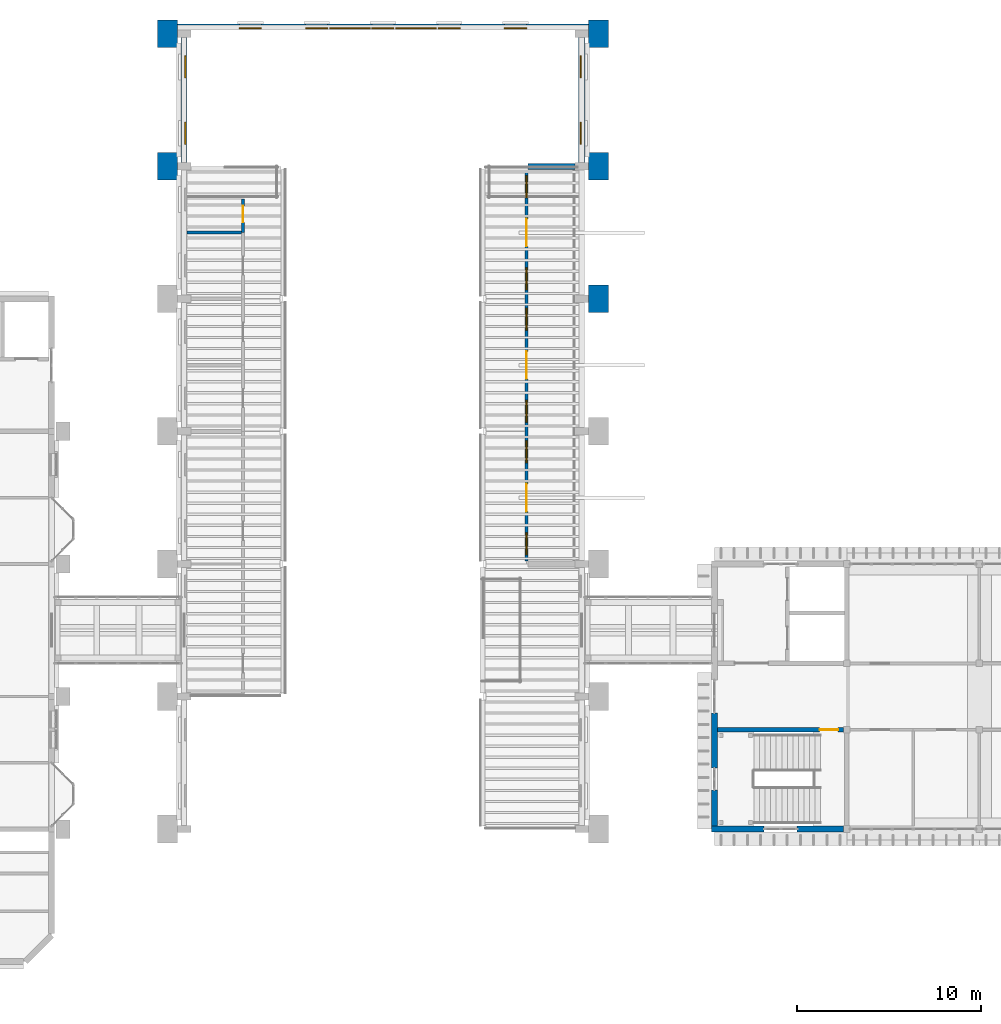
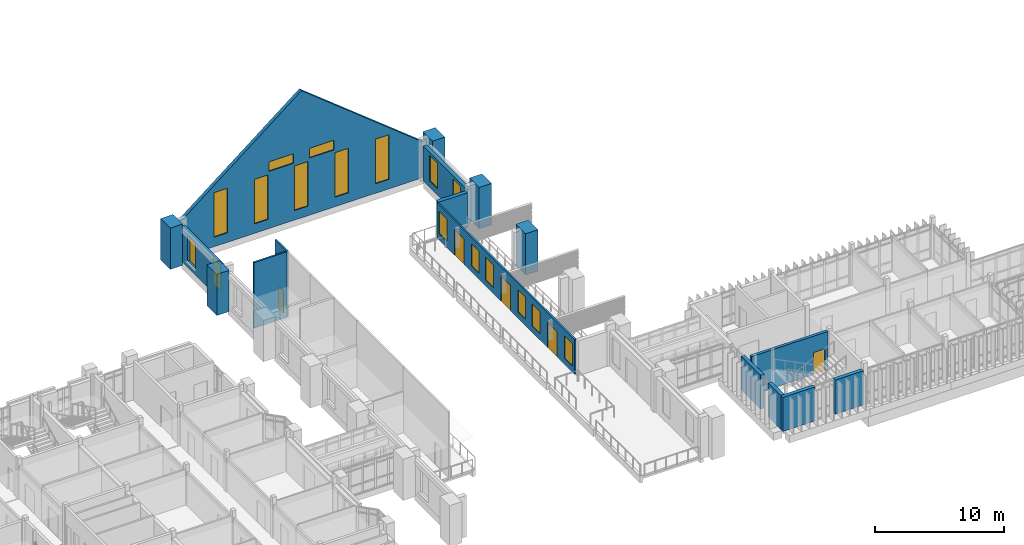
# One storey, part 43 of 69: 17 walls, 17 windows, 5 doors, 22 openings.
"""IFC4 building model written with IfcOpenShell, lengths in metres."""

from ifc_helpers import new_model, si_unit, direction, frame, frame_2d, origin, place, context, subcontext, project, spatial, polyline, rectangle, outline, extrude, material, layer, layer_set, type_object, element, fill, save


model = new_model("IFC4")

# Units and contexts
model_context = context("Model", 3, precision=1e-05, world=origin(), true_north=direction((0.0, 1.0)))
body_context = subcontext(model_context, "Body", "Model", "MODEL_VIEW")
ifc_project = project(units=[si_unit("LENGTHUNIT", "METRE"), si_unit("AREAUNIT", "SQUARE_METRE"), si_unit("VOLUMEUNIT", "CUBIC_METRE"), si_unit("PLANEANGLEUNIT", "RADIAN"), si_unit("MASSUNIT", "GRAM", prefix="KILO")], contexts=[model_context])

# Site, building, storey
site_placement = place(None, origin())
site = spatial("IfcSite", under=ifc_project, at=site_placement, CompositionType="ELEMENT")
building_placement = place(site_placement, origin())
building = spatial("IfcBuilding", under=site, at=building_placement, Name="Mazhai Court Health Centre", CompositionType="ELEMENT")
storey_placement = place(building_placement, frame((0.0, 0.0, 6.300048828125)))
storey = spatial("IfcBuildingStorey", under=building, at=storey_placement, Name="L01", CompositionType="ELEMENT", Elevation=6.300048828125)

# Walls
ifc_material_1 = material(Name="Clay brick masonry", Category="masonry")
ifc_layer_1 = layer(ifc_material_1, 1.10009765625)
ifc_layer_set_1 = layer_set([ifc_layer_1], Name="BRICK BUTTRESS PIER 1100")
wall_type_1 = type_object("IfcWallType", Name="BRICK BUTTRESS PIER 1100", PredefinedType="SOLIDWALL", material=ifc_layer_set_1)
for number, where, z_axis, x_axis, name in (
    (1, (41.2900390625, 48.64990234375, 0.0), (0.0, 0.0, 1.0), (0.0, 1.0, 0.0), "EP-V1-L01-W5"),
    (2, (41.2900390625, 55.85009765625, 0.0), (0.0, 0.0, 1.0), (0.0, 1.0, 0.0), "EP-V1-L01-W6"),
    (3, (64.7099609375, 42.949951171875, 0.0), (0.0, 0.0, 1.0), (0.0, -1.0, 0.0), "EP-V1-L01-E4"),
    (4, (64.7099609375, 50.14990234375, 0.0), (0.0, 0.0, 1.0), (0.0, -1.0, 0.0), "EP-V1-L01-E5"),
    (5, (64.7099609375, 57.35009765625, 0.0), (0.0, 0.0, 1.0), (0.0, -1.0, 0.0), "EP-V1-L01-E6"),
):
    element("IfcWall", number, at=place(storey_placement, frame(where, z_axis=z_axis, x_axis=x_axis)), inside=storey, type_object=wall_type_1, Name=name, PredefinedType="SOLIDWALL", context=body_context, shape_type="SweptSolid", body=[
        extrude(rectangle(XDim=1.5, YDim=1.10009765625, at=frame_2d((0.75, 0.0))), origin(), (0.0, 0.0, 1.0), 3.89990234375),
    ])
ifc_material_2 = material(Name="Clay brick masonry", Category="masonry")
ifc_layer_2 = layer(ifc_material_2, 0.330078125)
ifc_layer_set_2 = layer_set([ifc_layer_2], Name="BRICK WALL 330 EXTERNAL")
wall_type_2 = type_object("IfcWallType", Name="BRICK WALL 330 EXTERNAL", PredefinedType="SOLIDWALL", material=ifc_layer_set_2)
wall_1_placement = place(storey_placement, frame((73.699951171875, 13.39990234375, 0.0), z_axis=(0.0, 0.0, 1.0), x_axis=(-1.0, 0.0, 0.0)))
element("IfcWall", 6, at=wall_1_placement, inside=storey, type_object=wall_type_2, Name="EW-V4-L01-A0a", PredefinedType="SOLIDWALL", context=body_context, shape_type="SweptSolid", body=[
    extrude(rectangle(XDim=2.864990234375, YDim=0.330078125, at=frame_2d((1.4326171875, 0.0))), origin(), (0.0, 0.0, 1.0), 3.219970703125),
])
wall_2_placement = place(storey_placement, frame((78.02001953125, 13.39990234375, 0.0), z_axis=(0.0, 0.0, 1.0), x_axis=(-1.0, 0.0, 0.0)))
element("IfcWall", 7, at=wall_2_placement, inside=storey, type_object=wall_type_2, Name="EW-V4-L01-A0b", PredefinedType="SOLIDWALL", context=body_context, shape_type="SweptSolid", body=[
    extrude(rectangle(XDim=2.52001953125, YDim=0.330078125, at=frame_2d((1.260009765625, 0.0))), origin(), (0.0, 0.0, 1.0), 3.219970703125),
])
wall_3_placement = place(storey_placement, frame((71.0, 13.56494140625, 0.0), z_axis=(0.0, 0.0, 1.0), x_axis=(0.0, 1.0, 0.0)))
element("IfcWall", 8, at=wall_3_placement, inside=storey, type_object=wall_type_2, Name="EW-V4-L01-Sp0", PredefinedType="SOLIDWALL", context=body_context, shape_type="SweptSolid", body=[
    extrude(rectangle(XDim=1.955078125, YDim=0.330078125, at=frame_2d((0.9775390625, 0.0))), origin(), (0.0, 0.0, 1.0), 3.199951171875),
])
wall_4_placement = place(storey_placement, frame((71.0, 16.719970703125, 0.0), z_axis=(0.0, 0.0, 1.0), x_axis=(0.0, 1.0, 0.0)))
element("IfcWall", 9, at=wall_4_placement, inside=storey, type_object=wall_type_2, Name="EW-V4-L01-Sp1", PredefinedType="SOLIDWALL", context=body_context, shape_type="SweptSolid", body=[
    extrude(rectangle(XDim=2.97998046875, YDim=0.330078125, at=frame_2d((1.489990234375, 0.0))), origin(), (0.0, 0.0, 1.0), 3.199951171875),
])

# Wall, openings, windows
wall_5_placement = place(storey_placement, frame((42.199951171875, 49.60009765625, 0.0), z_axis=(0.0, 0.0, 1.0), x_axis=(0.0, 1.0, 0.0)))
wall_5 = element("IfcWall", 10, at=wall_5_placement, inside=storey, type_object=wall_type_2, Name="EW-V1-L01-W5", PredefinedType="SOLIDWALL", context=body_context, shape_type="SweptSolid", body=[
    extrude(rectangle(XDim=6.7998046875, YDim=0.330078125, at=frame_2d((3.39990234375, 0.0))), origin(), (0.0, 0.0, 1.0), 3.300048828125),
])
opening_1_placement = place(wall_5_placement, frame((1.0, 0.0, 0.60009765625)))
opening_1 = element("IfcOpeningElement", 11, at=opening_1_placement, cuts=wall_5, Name="Opening W2", PredefinedType="OPENING", context=body_context, shape_type="SweptSolid", body=[
    extrude(rectangle(XDim=1.199951171875, YDim=2.39990234375, at=frame_2d((0.60009765625, 1.199951171875))), frame((0.0, 0.175048828125, 0.0), z_axis=(0.0, -1.0, 0.0), x_axis=(1.0, 0.0, 0.0)), (0.0, 0.0, 1.0), 0.35009765625),
])
opening_2_placement = place(wall_5_placement, frame((4.60009765625, 0.0, 0.60009765625)))
opening_2 = element("IfcOpeningElement", 12, at=opening_2_placement, cuts=wall_5, Name="Opening W2", PredefinedType="OPENING", context=body_context, shape_type="SweptSolid", body=[
    extrude(rectangle(XDim=1.199951171875, YDim=2.39990234375, at=frame_2d((0.60009765625, 1.199951171875))), frame((0.0, 0.175048828125, 0.0), z_axis=(0.0, -1.0, 0.0), x_axis=(1.0, 0.0, 0.0)), (0.0, 0.0, 1.0), 0.35009765625),
])
ifc_material_3 = material(Name="Teak timber frame, glazed", Category="wood")
window_type_1 = type_object("IfcWindowType", Name="WINDOW TALL PIER 1200x2400", PartitioningType="SINGLE_PANEL", PredefinedType="WINDOW", material=ifc_material_3)
window_1_placement = place(opening_1_placement, origin())
window_1 = element("IfcWindow", 13, at=window_1_placement, inside=storey, type_object=window_type_1, Name="W2 WN-V1-L01-W5a", OverallHeight=2.39990234375, OverallWidth=1.199951171875, PartitioningType="SINGLE_PANEL", PredefinedType="WINDOW", context=body_context, shape_type="SweptSolid", body=[
    extrude(rectangle(XDim=1.199951171875, YDim=2.39990234375, at=frame_2d((0.60009765625, 1.199951171875))), frame((0.0, -0.030029296875, 0.0), z_axis=(0.0, -1.0, 0.0), x_axis=(1.0, 0.0, 0.0)), (0.0, 0.0, 1.0), 0.06005859375),
])
fill(opening_1, window_1)
window_2_placement = place(opening_2_placement, origin())
window_2 = element("IfcWindow", 14, at=window_2_placement, inside=storey, type_object=window_type_1, Name="W2 WN-V1-L01-W5b", OverallHeight=2.39990234375, OverallWidth=1.199951171875, PartitioningType="SINGLE_PANEL", PredefinedType="WINDOW", context=body_context, shape_type="SweptSolid", body=[
    extrude(rectangle(XDim=1.199951171875, YDim=2.39990234375, at=frame_2d((0.60009765625, 1.199951171875))), frame((0.0, -0.030029296875, 0.0), z_axis=(0.0, -1.0, 0.0), x_axis=(1.0, 0.0, 0.0)), (0.0, 0.0, 1.0), 0.06005859375),
])
fill(opening_2, window_2)

wall_6_placement = place(storey_placement, frame((63.800048828125, 56.39990234375, 0.0), z_axis=(0.0, 0.0, 1.0), x_axis=(0.0, -1.0, 0.0)))
wall_6 = element("IfcWall", 15, at=wall_6_placement, inside=storey, type_object=wall_type_2, Name="EW-V1-L01-E5", PredefinedType="SOLIDWALL", context=body_context, shape_type="SweptSolid", body=[
    extrude(rectangle(XDim=6.7998046875, YDim=0.330078125, at=frame_2d((3.39990234375, 0.0))), origin(), (0.0, 0.0, 1.0), 3.300048828125),
])
opening_3_placement = place(wall_6_placement, frame((4.60009765625, 0.0, 0.60009765625)))
opening_3 = element("IfcOpeningElement", 16, at=opening_3_placement, cuts=wall_6, Name="Opening W2", PredefinedType="OPENING", context=body_context, shape_type="SweptSolid", body=[
    extrude(rectangle(XDim=1.199951171875, YDim=2.39990234375, at=frame_2d((0.60009765625, 1.199951171875))), frame((0.0, 0.175048828125, 0.0), z_axis=(0.0, -1.0, 0.0), x_axis=(1.0, 0.0, 0.0)), (0.0, 0.0, 1.0), 0.35009765625),
])
opening_4_placement = place(wall_6_placement, frame((1.0, 0.0, 0.60009765625)))
opening_4 = element("IfcOpeningElement", 17, at=opening_4_placement, cuts=wall_6, Name="Opening W2", PredefinedType="OPENING", context=body_context, shape_type="SweptSolid", body=[
    extrude(rectangle(XDim=1.199951171875, YDim=2.39990234375, at=frame_2d((0.60009765625, 1.199951171875))), frame((0.0, 0.175048828125, 0.0), z_axis=(0.0, -1.0, 0.0), x_axis=(1.0, 0.0, 0.0)), (0.0, 0.0, 1.0), 0.35009765625),
])
window_3_placement = place(opening_3_placement, origin())
window_3 = element("IfcWindow", 18, at=window_3_placement, inside=storey, type_object=window_type_1, Name="W2 WN-V1-L01-E5a", OverallHeight=2.39990234375, OverallWidth=1.199951171875, PartitioningType="SINGLE_PANEL", PredefinedType="WINDOW", context=body_context, shape_type="SweptSolid", body=[
    extrude(rectangle(XDim=1.199951171875, YDim=2.39990234375, at=frame_2d((0.60009765625, 1.199951171875))), frame((0.0, -0.030029296875, 0.0), z_axis=(0.0, -1.0, 0.0), x_axis=(1.0, 0.0, 0.0)), (0.0, 0.0, 1.0), 0.06005859375),
])
fill(opening_3, window_3)
window_4_placement = place(opening_4_placement, origin())
window_4 = element("IfcWindow", 19, at=window_4_placement, inside=storey, type_object=window_type_1, Name="W2 WN-V1-L01-E5b", OverallHeight=2.39990234375, OverallWidth=1.199951171875, PartitioningType="SINGLE_PANEL", PredefinedType="WINDOW", context=body_context, shape_type="SweptSolid", body=[
    extrude(rectangle(XDim=1.199951171875, YDim=2.39990234375, at=frame_2d((0.60009765625, 1.199951171875))), frame((0.0, -0.030029296875, 0.0), z_axis=(0.0, -1.0, 0.0), x_axis=(1.0, 0.0, 0.0)), (0.0, 0.0, 1.0), 0.06005859375),
])
fill(opening_4, window_4)

wall_7_placement = place(storey_placement, frame((41.840087890625, 56.965087890625, 0.0), z_axis=(0.0, 0.0, 1.0), x_axis=(1.0, 0.0, 0.0)))
wall_7 = element("IfcWall", 20, at=wall_7_placement, inside=storey, type_object=wall_type_2, Name="EW-V1-L01-N", PredefinedType="SOLIDWALL", context=body_context, shape_type="SweptSolid", body=[
    extrude(outline(polyline([(0.0, 0.0), (22.31982421875, 0.0), (22.320068359375, 3.39990234375), (21.9599609375, 3.39990234375), (11.159912109375, 12.0), (0.360107421875, 3.39990234375), (0.0, 3.39990234375), (0.0, 0.0)])), frame((0.0, 0.1650390625, 0.0), z_axis=(0.0, -1.0, 0.0), x_axis=(1.0, 0.0, 0.0)), (0.0, 0.0, 1.0), 0.330078125),
])
opening_5_placement = place(wall_7_placement, frame((3.360107421875, 0.0, 0.89990234375)))
opening_5 = element("IfcOpeningElement", 21, at=opening_5_placement, cuts=wall_7, Name="Opening W3", PredefinedType="OPENING", context=body_context, shape_type="SweptSolid", body=[
    extrude(rectangle(XDim=1.199951171875, YDim=4.199951171875, at=frame_2d((0.60009765625, 2.10009765625))), frame((0.0, 0.175048828125, 0.0), z_axis=(0.0, -1.0, 0.0), x_axis=(1.0, 0.0, 0.0)), (0.0, 0.0, 1.0), 0.35009765625),
])
opening_6_placement = place(wall_7_placement, frame((6.9599609375, 0.0, 0.89990234375)))
opening_6 = element("IfcOpeningElement", 22, at=opening_6_placement, cuts=wall_7, Name="Opening W3", PredefinedType="OPENING", context=body_context, shape_type="SweptSolid", body=[
    extrude(rectangle(XDim=1.199951171875, YDim=4.199951171875, at=frame_2d((0.60009765625, 2.10009765625))), frame((0.0, 0.175048828125, 0.0), z_axis=(0.0, -1.0, 0.0), x_axis=(1.0, 0.0, 0.0)), (0.0, 0.0, 1.0), 0.35009765625),
])
opening_7_placement = place(wall_7_placement, frame((10.56005859375, 0.0, 0.89990234375)))
opening_7 = element("IfcOpeningElement", 23, at=opening_7_placement, cuts=wall_7, Name="Opening W3", PredefinedType="OPENING", context=body_context, shape_type="SweptSolid", body=[
    extrude(rectangle(XDim=1.199951171875, YDim=4.199951171875, at=frame_2d((0.60009765625, 2.10009765625))), frame((0.0, 0.175048828125, 0.0), z_axis=(0.0, -1.0, 0.0), x_axis=(1.0, 0.0, 0.0)), (0.0, 0.0, 1.0), 0.35009765625),
])
opening_8_placement = place(wall_7_placement, frame((14.159912109375, 0.0, 0.89990234375)))
opening_8 = element("IfcOpeningElement", 24, at=opening_8_placement, cuts=wall_7, Name="Opening W3", PredefinedType="OPENING", context=body_context, shape_type="SweptSolid", body=[
    extrude(rectangle(XDim=1.199951171875, YDim=4.199951171875, at=frame_2d((0.60009765625, 2.10009765625))), frame((0.0, 0.175048828125, 0.0), z_axis=(0.0, -1.0, 0.0), x_axis=(1.0, 0.0, 0.0)), (0.0, 0.0, 1.0), 0.35009765625),
])
opening_9_placement = place(wall_7_placement, frame((17.760009765625, 0.0, 0.89990234375)))
opening_9 = element("IfcOpeningElement", 25, at=opening_9_placement, cuts=wall_7, Name="Opening W3", PredefinedType="OPENING", context=body_context, shape_type="SweptSolid", body=[
    extrude(rectangle(XDim=1.199951171875, YDim=4.199951171875, at=frame_2d((0.60009765625, 2.10009765625))), frame((0.0, 0.175048828125, 0.0), z_axis=(0.0, -1.0, 0.0), x_axis=(1.0, 0.0, 0.0)), (0.0, 0.0, 1.0), 0.35009765625),
])
opening_10_placement = place(wall_7_placement, frame((8.260009765625, 0.0, 5.39990234375)))
opening_10 = element("IfcOpeningElement", 26, at=opening_10_placement, cuts=wall_7, Name="Opening W4", PredefinedType="OPENING", context=body_context, shape_type="SweptSolid", body=[
    extrude(rectangle(XDim=2.199951171875, YDim=0.89990234375, at=frame_2d((1.10009765625, 0.449951171875))), frame((0.0, 0.175048828125, 0.0), z_axis=(0.0, -1.0, 0.0), x_axis=(1.0, 0.0, 0.0)), (0.0, 0.0, 1.0), 0.35009765625),
])
opening_11_placement = place(wall_7_placement, frame((11.860107421875, 0.0, 5.39990234375)))
opening_11 = element("IfcOpeningElement", 27, at=opening_11_placement, cuts=wall_7, Name="Opening W4", PredefinedType="OPENING", context=body_context, shape_type="SweptSolid", body=[
    extrude(rectangle(XDim=2.199951171875, YDim=0.89990234375, at=frame_2d((1.10009765625, 0.449951171875))), frame((0.0, 0.175048828125, 0.0), z_axis=(0.0, -1.0, 0.0), x_axis=(1.0, 0.0, 0.0)), (0.0, 0.0, 1.0), 0.35009765625),
])
ifc_material_4 = material(Name="Teak timber frame, glazed", Category="wood")
window_type_2 = type_object("IfcWindowType", Name="WINDOW CLERESTORY 2200x900", PartitioningType="SINGLE_PANEL", PredefinedType="WINDOW", material=ifc_material_4)
window_5_placement = place(opening_10_placement, origin())
window_5 = element("IfcWindow", 28, at=window_5_placement, inside=storey, type_object=window_type_2, Name="W4 WN-V1-L01-N-18u", OverallHeight=0.89990234375, OverallWidth=2.199951171875, PartitioningType="SINGLE_PANEL", PredefinedType="WINDOW", context=body_context, shape_type="SweptSolid", body=[
    extrude(rectangle(XDim=2.199951171875, YDim=0.89990234375, at=frame_2d((1.10009765625, 0.449951171875))), frame((0.0, -0.030029296875, 0.0), z_axis=(0.0, -1.0, 0.0), x_axis=(1.0, 0.0, 0.0)), (0.0, 0.0, 1.0), 0.06005859375),
])
fill(opening_10, window_5)
window_6_placement = place(opening_11_placement, origin())
window_6 = element("IfcWindow", 29, at=window_6_placement, inside=storey, type_object=window_type_2, Name="W4 WN-V1-L01-N18u", OverallHeight=0.89990234375, OverallWidth=2.199951171875, PartitioningType="SINGLE_PANEL", PredefinedType="WINDOW", context=body_context, shape_type="SweptSolid", body=[
    extrude(rectangle(XDim=2.199951171875, YDim=0.89990234375, at=frame_2d((1.10009765625, 0.449951171875))), frame((0.0, -0.030029296875, 0.0), z_axis=(0.0, -1.0, 0.0), x_axis=(1.0, 0.0, 0.0)), (0.0, 0.0, 1.0), 0.06005859375),
])
fill(opening_11, window_6)
ifc_material_5 = material(Name="Teak timber frame, glazed", Category="wood")
window_type_3 = type_object("IfcWindowType", Name="WINDOW HALL 1200x4200", PartitioningType="SINGLE_PANEL", PredefinedType="WINDOW", material=ifc_material_5)
window_7_placement = place(opening_5_placement, origin())
window_7 = element("IfcWindow", 30, at=window_7_placement, inside=storey, type_object=window_type_3, Name="W3 WN-V1-L01-N-72t", OverallHeight=4.199951171875, OverallWidth=1.199951171875, PartitioningType="SINGLE_PANEL", PredefinedType="WINDOW", context=body_context, shape_type="SweptSolid", body=[
    extrude(rectangle(XDim=1.199951171875, YDim=4.199951171875, at=frame_2d((0.60009765625, 2.10009765625))), frame((0.0, -0.030029296875, 0.0), z_axis=(0.0, -1.0, 0.0), x_axis=(1.0, 0.0, 0.0)), (0.0, 0.0, 1.0), 0.06005859375),
])
fill(opening_5, window_7)
window_8_placement = place(opening_6_placement, origin())
window_8 = element("IfcWindow", 31, at=window_8_placement, inside=storey, type_object=window_type_3, Name="W3 WN-V1-L01-N-36t", OverallHeight=4.199951171875, OverallWidth=1.199951171875, PartitioningType="SINGLE_PANEL", PredefinedType="WINDOW", context=body_context, shape_type="SweptSolid", body=[
    extrude(rectangle(XDim=1.199951171875, YDim=4.199951171875, at=frame_2d((0.60009765625, 2.10009765625))), frame((0.0, -0.030029296875, 0.0), z_axis=(0.0, -1.0, 0.0), x_axis=(1.0, 0.0, 0.0)), (0.0, 0.0, 1.0), 0.06005859375),
])
fill(opening_6, window_8)
window_9_placement = place(opening_7_placement, origin())
window_9 = element("IfcWindow", 32, at=window_9_placement, inside=storey, type_object=window_type_3, Name="W3 WN-V1-L01-N0t", OverallHeight=4.199951171875, OverallWidth=1.199951171875, PartitioningType="SINGLE_PANEL", PredefinedType="WINDOW", context=body_context, shape_type="SweptSolid", body=[
    extrude(rectangle(XDim=1.199951171875, YDim=4.199951171875, at=frame_2d((0.60009765625, 2.10009765625))), frame((0.0, -0.030029296875, 0.0), z_axis=(0.0, -1.0, 0.0), x_axis=(1.0, 0.0, 0.0)), (0.0, 0.0, 1.0), 0.06005859375),
])
fill(opening_7, window_9)
window_10_placement = place(opening_8_placement, origin())
window_10 = element("IfcWindow", 33, at=window_10_placement, inside=storey, type_object=window_type_3, Name="W3 WN-V1-L01-N36t", OverallHeight=4.199951171875, OverallWidth=1.199951171875, PartitioningType="SINGLE_PANEL", PredefinedType="WINDOW", context=body_context, shape_type="SweptSolid", body=[
    extrude(rectangle(XDim=1.199951171875, YDim=4.199951171875, at=frame_2d((0.60009765625, 2.10009765625))), frame((0.0, -0.030029296875, 0.0), z_axis=(0.0, -1.0, 0.0), x_axis=(1.0, 0.0, 0.0)), (0.0, 0.0, 1.0), 0.06005859375),
])
fill(opening_8, window_10)
window_11_placement = place(opening_9_placement, origin())
window_11 = element("IfcWindow", 34, at=window_11_placement, inside=storey, type_object=window_type_3, Name="W3 WN-V1-L01-N72t", OverallHeight=4.199951171875, OverallWidth=1.199951171875, PartitioningType="SINGLE_PANEL", PredefinedType="WINDOW", context=body_context, shape_type="SweptSolid", body=[
    extrude(rectangle(XDim=1.199951171875, YDim=4.199951171875, at=frame_2d((0.60009765625, 2.10009765625))), frame((0.0, -0.030029296875, 0.0), z_axis=(0.0, -1.0, 0.0), x_axis=(1.0, 0.0, 0.0)), (0.0, 0.0, 1.0), 0.06005859375),
])
fill(opening_9, window_11)

# Wall
wall_8_placement = place(storey_placement, frame((60.875, 49.39990234375, 0.0), z_axis=(0.0, 0.0, 1.0), x_axis=(1.0, 0.0, 0.0)))
element("IfcWall", 35, at=wall_8_placement, inside=storey, type_object=wall_type_2, Name="EW-V1-L01-LC49", PredefinedType="SOLIDWALL", context=body_context, shape_type="SweptSolid", body=[
    extrude(rectangle(XDim=2.56494140625, YDim=0.330078125, at=frame_2d((1.282470703125, 0.0))), origin(), (0.0, 0.0, 1.0), 3.300048828125),
])

# Wall, opening, door
ifc_material_6 = material(Name="Gypsum plasterboard partition")
ifc_layer_3 = layer(ifc_material_6, 0.14990234375)
ifc_layer_set_3 = layer_set([ifc_layer_3], Name="PARTITION 150 CORRIDOR EI60")
wall_type_3 = type_object("IfcWallType", Name="PARTITION 150 CORRIDOR EI60", PredefinedType="PARTITIONING", material=ifc_layer_set_3)
wall_9_placement = place(storey_placement, frame((45.39990234375, 47.635009765625, 0.0), z_axis=(0.0, 0.0, 1.0), x_axis=(0.0, -1.0, 0.0)))
wall_9 = element("IfcWall", 36, at=wall_9_placement, inside=storey, type_object=wall_type_3, Name="wall-V1-L01-W-corr-5a", PredefinedType="PARTITIONING", context=body_context, shape_type="SweptSolid", body=[
    extrude(rectangle(XDim=1.8349609375, YDim=0.14990234375, at=frame_2d((0.91748046875, 0.0))), origin(), (0.0, 0.0, 1.0), 6.200927734375),
])
opening_12_placement = place(wall_9_placement, frame((0.385009765625, 0.0, 0.0)))
opening_12 = element("IfcOpeningElement", 37, at=opening_12_placement, cuts=wall_9, Name="Opening D-L01-043", PredefinedType="OPENING", context=body_context, shape_type="SweptSolid", body=[
    extrude(rectangle(XDim=0.89990234375, YDim=2.10009765625, at=frame_2d((0.449951171875, 1.050048828125))), frame((0.0, 0.0849609375, 0.0), z_axis=(0.0, -1.0, 0.0), x_axis=(1.0, 0.0, 0.0)), (0.0, 0.0, 1.0), 0.169921875),
])
ifc_material_7 = material(Name="Hardwood door leaf", Category="wood")
door_type_1 = type_object("IfcDoorType", Name="DOOR 900x2100 FD30S SINGLE", OperationType="NOTDEFINED", PredefinedType="DOOR", material=ifc_material_7)
door_1_placement = place(opening_12_placement, origin())
door_1 = element("IfcDoor", 38, at=door_1_placement, inside=storey, type_object=door_type_1, Name="door-V1-L01-W-accessible-wc-gallery", OperationType="SINGLE_SWING_LEFT", OverallHeight=2.10009765625, OverallWidth=0.89990234375, PredefinedType="DOOR", context=body_context, shape_type="SweptSolid", body=[
    extrude(rectangle(XDim=0.89990234375, YDim=2.10009765625, at=frame_2d((0.449951171875, 1.050048828125))), frame((0.0, 0.02490234375, 0.0), z_axis=(0.0, -1.0, 0.0), x_axis=(1.0, 0.0, 0.0)), (0.0, 0.0, 1.0), 0.050048828125),
])
fill(opening_12, door_1)

# Wall
ifc_material_8 = material(Name="Gypsum plasterboard partition")
ifc_layer_4 = layer(ifc_material_8, 0.14990234375)
ifc_layer_set_4 = layer_set([ifc_layer_4], Name="PARTITION 150 WET AREA EI30")
wall_type_4 = type_object("IfcWallType", Name="PARTITION 150 WET AREA EI30", PredefinedType="PARTITIONING", material=ifc_layer_set_4)
wall_10_placement = place(storey_placement, frame((42.364990234375, 45.800048828125, 0.0), z_axis=(0.0, 0.0, 1.0), x_axis=(1.0, 0.0, 0.0)))
element("IfcWall", 39, at=wall_10_placement, inside=storey, type_object=wall_type_4, Name="wall-V1-L01-W-cross-5a", PredefinedType="PARTITIONING", context=body_context, shape_type="SweptSolid", body=[
    extrude(rectangle(XDim=2.9599609375, YDim=0.14990234375, at=frame_2d((1.47998046875, 0.0))), origin(), (0.0, 0.0, 1.0), 6.200927734375),
])

# Wall, opening, door
ifc_material_9 = material(Name="Concrete M40", Category="concrete")
ifc_layer_5 = layer(ifc_material_9, 0.25)
ifc_layer_set_5 = layer_set([ifc_layer_5], Name="RC CORE WALL 250 M40")
wall_type_5 = type_object("IfcWallType", Name="RC CORE WALL 250 M40", PredefinedType="SHEAR", material=ifc_layer_set_5)
wall_11_placement = place(storey_placement, frame((71.1650390625, 18.800048828125, 0.0), z_axis=(0.0, 0.0, 1.0), x_axis=(1.0, 0.0, 0.0)))
wall_11 = element("IfcWall", 40, at=wall_11_placement, inside=storey, type_object=wall_type_5, Name="core-C6-w-stair-corr-L01", PredefinedType="SHEAR", context=body_context, shape_type="SweptSolid", body=[
    extrude(rectangle(XDim=6.85498046875, YDim=0.25, at=frame_2d((3.427490234375, 0.0))), origin(), (0.0, 0.0, 1.0), 3.64990234375),
])
opening_13_placement = place(wall_11_placement, frame((5.56005859375, 0.0, 0.0)))
opening_13 = element("IfcOpeningElement", 41, at=opening_13_placement, cuts=wall_11, Name="Opening D-L01-050", PredefinedType="OPENING", context=body_context, shape_type="SweptSolid", body=[
    extrude(rectangle(XDim=1.0, YDim=2.10009765625, at=frame_2d((0.5, 1.050048828125))), frame((0.0, 0.135009765625, 0.0), z_axis=(0.0, -1.0, 0.0), x_axis=(1.0, 0.0, 0.0)), (0.0, 0.0, 1.0), 0.27001953125),
])
ifc_material_10 = material(Name="Steel fire door leaf", Category="steel")
door_type_2 = type_object("IfcDoorType", Name="FD120S STAIR DOOR 1000x2100", OperationType="SINGLE_SWING_LEFT", PredefinedType="DOOR", material=ifc_material_10)
door_2_placement = place(opening_13_placement, origin())
door_2 = element("IfcDoor", 42, at=door_2_placement, inside=storey, type_object=door_type_2, Name="Stair 6 door L01", OperationType="SINGLE_SWING_RIGHT", OverallHeight=2.10009765625, OverallWidth=1.0, PredefinedType="DOOR", context=body_context, shape_type="SweptSolid", body=[
    extrude(rectangle(XDim=1.0, YDim=2.10009765625, at=frame_2d((0.5, 1.050048828125))), frame((0.0, 0.02490234375, 0.0), z_axis=(0.0, -1.0, 0.0), x_axis=(1.0, 0.0, 0.0)), (0.0, 0.0, 1.0), 0.050048828125),
])
fill(opening_13, door_2)

# Wall, openings, doors, windows
ifc_material_11 = material(Name="Teak timber cladding on timber frame", Category="wood")
ifc_layer_6 = layer(ifc_material_11, 0.14990234375)
ifc_layer_set_6 = layer_set([ifc_layer_6], Name="TIMBER FRAME WALL 150")
wall_type_6 = type_object("IfcWallType", Name="TIMBER FRAME WALL 150", PredefinedType="PARTITIONING", material=ifc_layer_set_6)
wall_12_placement = place(storey_placement, frame((60.800048828125, 49.235107421875, 0.0), z_axis=(0.0, 0.0, 1.0), x_axis=(0.0, -1.0, 0.0)))
wall_12 = element("IfcWall", 43, at=wall_12_placement, inside=storey, type_object=wall_type_6, Name="EW-V1-L01-LG", PredefinedType="PARTITIONING", context=body_context, shape_type="SweptSolid", body=[
    extrude(rectangle(XDim=21.27001953125, YDim=0.14990234375, at=frame_2d((10.635009765625, 0.0))), origin(), (0.0, 0.0, 1.0), 3.300048828125),
])
opening_14_placement = place(wall_12_placement, frame((17.0849609375, 0.0, 0.0)))
opening_14 = element("IfcOpeningElement", 44, at=opening_14_placement, cuts=wall_12, Name="Opening D-L01-044", PredefinedType="OPENING", context=body_context, shape_type="SweptSolid", body=[
    extrude(rectangle(XDim=1.5, YDim=2.39990234375, at=frame_2d((0.75, 1.199951171875))), frame((0.0, 0.0849609375, 0.0), z_axis=(0.0, -1.0, 0.0), x_axis=(1.0, 0.0, 0.0)), (0.0, 0.0, 1.0), 0.169921875),
])
opening_15_placement = place(wall_12_placement, frame((19.735107421875, 0.0, 0.60009765625)))
opening_15 = element("IfcOpeningElement", 45, at=opening_15_placement, cuts=wall_12, Name="Opening W8", PredefinedType="OPENING", context=body_context, shape_type="SweptSolid", body=[
    extrude(rectangle(XDim=1.199951171875, YDim=2.10009765625, at=frame_2d((0.60009765625, 1.050048828125))), frame((0.0, 0.0849609375, 0.0), z_axis=(0.0, -1.0, 0.0), x_axis=(1.0, 0.0, 0.0)), (0.0, 0.0, 1.0), 0.169921875),
])
opening_16_placement = place(wall_12_placement, frame((14.735107421875, 0.0, 0.60009765625)))
opening_16 = element("IfcOpeningElement", 46, at=opening_16_placement, cuts=wall_12, Name="Opening W8", PredefinedType="OPENING", context=body_context, shape_type="SweptSolid", body=[
    extrude(rectangle(XDim=1.199951171875, YDim=2.10009765625, at=frame_2d((0.60009765625, 1.050048828125))), frame((0.0, 0.0849609375, 0.0), z_axis=(0.0, -1.0, 0.0), x_axis=(1.0, 0.0, 0.0)), (0.0, 0.0, 1.0), 0.169921875),
])
opening_17_placement = place(wall_12_placement, frame((9.885009765625, 0.0, 0.0)))
opening_17 = element("IfcOpeningElement", 47, at=opening_17_placement, cuts=wall_12, Name="Opening D-L01-045", PredefinedType="OPENING", context=body_context, shape_type="SweptSolid", body=[
    extrude(rectangle(XDim=1.5, YDim=2.39990234375, at=frame_2d((0.75, 1.199951171875))), frame((0.0, 0.0849609375, 0.0), z_axis=(0.0, -1.0, 0.0), x_axis=(1.0, 0.0, 0.0)), (0.0, 0.0, 1.0), 0.169921875),
])
opening_18_placement = place(wall_12_placement, frame((12.534912109375, 0.0, 0.60009765625)))
opening_18 = element("IfcOpeningElement", 48, at=opening_18_placement, cuts=wall_12, Name="Opening W8", PredefinedType="OPENING", context=body_context, shape_type="SweptSolid", body=[
    extrude(rectangle(XDim=1.199951171875, YDim=2.10009765625, at=frame_2d((0.60009765625, 1.050048828125))), frame((0.0, 0.0849609375, 0.0), z_axis=(0.0, -1.0, 0.0), x_axis=(1.0, 0.0, 0.0)), (0.0, 0.0, 1.0), 0.169921875),
])
opening_19_placement = place(wall_12_placement, frame((7.534912109375, 0.0, 0.60009765625)))
opening_19 = element("IfcOpeningElement", 49, at=opening_19_placement, cuts=wall_12, Name="Opening W8", PredefinedType="OPENING", context=body_context, shape_type="SweptSolid", body=[
    extrude(rectangle(XDim=1.199951171875, YDim=2.10009765625, at=frame_2d((0.60009765625, 1.050048828125))), frame((0.0, 0.0849609375, 0.0), z_axis=(0.0, -1.0, 0.0), x_axis=(1.0, 0.0, 0.0)), (0.0, 0.0, 1.0), 0.169921875),
])
opening_20_placement = place(wall_12_placement, frame((2.68505859375, 0.0, 0.0)))
opening_20 = element("IfcOpeningElement", 50, at=opening_20_placement, cuts=wall_12, Name="Opening D-L01-046", PredefinedType="OPENING", context=body_context, shape_type="SweptSolid", body=[
    extrude(rectangle(XDim=1.5, YDim=2.39990234375, at=frame_2d((0.75, 1.199951171875))), frame((0.0, 0.0849609375, 0.0), z_axis=(0.0, -1.0, 0.0), x_axis=(1.0, 0.0, 0.0)), (0.0, 0.0, 1.0), 0.169921875),
])
opening_21_placement = place(wall_12_placement, frame((5.3349609375, 0.0, 0.60009765625)))
opening_21 = element("IfcOpeningElement", 51, at=opening_21_placement, cuts=wall_12, Name="Opening W8", PredefinedType="OPENING", context=body_context, shape_type="SweptSolid", body=[
    extrude(rectangle(XDim=1.199951171875, YDim=2.10009765625, at=frame_2d((0.60009765625, 1.050048828125))), frame((0.0, 0.0849609375, 0.0), z_axis=(0.0, -1.0, 0.0), x_axis=(1.0, 0.0, 0.0)), (0.0, 0.0, 1.0), 0.169921875),
])
opening_22_placement = place(wall_12_placement, frame((0.3349609375, 0.0, 0.60009765625)))
opening_22 = element("IfcOpeningElement", 52, at=opening_22_placement, cuts=wall_12, Name="Opening W8", PredefinedType="OPENING", context=body_context, shape_type="SweptSolid", body=[
    extrude(rectangle(XDim=1.199951171875, YDim=2.10009765625, at=frame_2d((0.60009765625, 1.050048828125))), frame((0.0, 0.0849609375, 0.0), z_axis=(0.0, -1.0, 0.0), x_axis=(1.0, 0.0, 0.0)), (0.0, 0.0, 1.0), 0.169921875),
])
ifc_material_12 = material(Name="Teak timber door, glazed", Category="wood")
door_type_3 = type_object("IfcDoorType", Name="DOOR LOGGIA DOUBLE 1500x2400", OperationType="DOUBLE_DOOR_SINGLE_SWING", PredefinedType="DOOR", material=ifc_material_12)
door_3_placement = place(opening_14_placement, origin())
door_3 = element("IfcDoor", 53, at=door_3_placement, inside=storey, type_object=door_type_3, Name="L01-E05", OperationType="DOUBLE_DOOR_SINGLE_SWING", OverallHeight=2.39990234375, OverallWidth=1.5, PredefinedType="DOOR", context=body_context, shape_type="SweptSolid", body=[
    extrude(rectangle(XDim=1.5, YDim=2.39990234375, at=frame_2d((0.75, 1.199951171875))), frame((0.0, 0.02490234375, 0.0), z_axis=(0.0, -1.0, 0.0), x_axis=(1.0, 0.0, 0.0)), (0.0, 0.0, 1.0), 0.050048828125),
])
fill(opening_14, door_3)
door_4_placement = place(opening_17_placement, origin())
door_4 = element("IfcDoor", 54, at=door_4_placement, inside=storey, type_object=door_type_3, Name="L01-E06", OperationType="DOUBLE_DOOR_SINGLE_SWING", OverallHeight=2.39990234375, OverallWidth=1.5, PredefinedType="DOOR", context=body_context, shape_type="SweptSolid", body=[
    extrude(rectangle(XDim=1.5, YDim=2.39990234375, at=frame_2d((0.75, 1.199951171875))), frame((0.0, 0.02490234375, 0.0), z_axis=(0.0, -1.0, 0.0), x_axis=(1.0, 0.0, 0.0)), (0.0, 0.0, 1.0), 0.050048828125),
])
fill(opening_17, door_4)
door_5_placement = place(opening_20_placement, origin())
door_5 = element("IfcDoor", 55, at=door_5_placement, inside=storey, type_object=door_type_3, Name="L01-E07", OperationType="DOUBLE_DOOR_SINGLE_SWING", OverallHeight=2.39990234375, OverallWidth=1.5, PredefinedType="DOOR", context=body_context, shape_type="SweptSolid", body=[
    extrude(rectangle(XDim=1.5, YDim=2.39990234375, at=frame_2d((0.75, 1.199951171875))), frame((0.0, 0.02490234375, 0.0), z_axis=(0.0, -1.0, 0.0), x_axis=(1.0, 0.0, 0.0)), (0.0, 0.0, 1.0), 0.050048828125),
])
fill(opening_20, door_5)
ifc_material_13 = material(Name="Teak timber frame, glazed", Category="wood")
window_type_4 = type_object("IfcWindowType", Name="WINDOW GALLERY 1200x2100", PartitioningType="SINGLE_PANEL", PredefinedType="WINDOW", material=ifc_material_13)
window_12_placement = place(opening_15_placement, origin())
window_12 = element("IfcWindow", 56, at=window_12_placement, inside=storey, type_object=window_type_4, Name="W8 WN-V1-L01-LG2a", OverallHeight=2.10009765625, OverallWidth=1.199951171875, PartitioningType="SINGLE_PANEL", PredefinedType="WINDOW", context=body_context, shape_type="SweptSolid", body=[
    extrude(rectangle(XDim=1.199951171875, YDim=2.10009765625, at=frame_2d((0.60009765625, 1.050048828125))), frame((0.0, 0.030029296875, 0.0), z_axis=(0.0, -1.0, 0.0), x_axis=(1.0, 0.0, 0.0)), (0.0, 0.0, 1.0), 0.06005859375),
])
fill(opening_15, window_12)
window_13_placement = place(opening_16_placement, origin())
window_13 = element("IfcWindow", 57, at=window_13_placement, inside=storey, type_object=window_type_4, Name="W8 WN-V1-L01-LG2b", OverallHeight=2.10009765625, OverallWidth=1.199951171875, PartitioningType="SINGLE_PANEL", PredefinedType="WINDOW", context=body_context, shape_type="SweptSolid", body=[
    extrude(rectangle(XDim=1.199951171875, YDim=2.10009765625, at=frame_2d((0.60009765625, 1.050048828125))), frame((0.0, 0.030029296875, 0.0), z_axis=(0.0, -1.0, 0.0), x_axis=(1.0, 0.0, 0.0)), (0.0, 0.0, 1.0), 0.06005859375),
])
fill(opening_16, window_13)
window_14_placement = place(opening_18_placement, origin())
window_14 = element("IfcWindow", 58, at=window_14_placement, inside=storey, type_object=window_type_4, Name="W8 WN-V1-L01-LG3a", OverallHeight=2.10009765625, OverallWidth=1.199951171875, PartitioningType="SINGLE_PANEL", PredefinedType="WINDOW", context=body_context, shape_type="SweptSolid", body=[
    extrude(rectangle(XDim=1.199951171875, YDim=2.10009765625, at=frame_2d((0.60009765625, 1.050048828125))), frame((0.0, 0.030029296875, 0.0), z_axis=(0.0, -1.0, 0.0), x_axis=(1.0, 0.0, 0.0)), (0.0, 0.0, 1.0), 0.06005859375),
])
fill(opening_18, window_14)
window_15_placement = place(opening_19_placement, origin())
window_15 = element("IfcWindow", 59, at=window_15_placement, inside=storey, type_object=window_type_4, Name="W8 WN-V1-L01-LG3b", OverallHeight=2.10009765625, OverallWidth=1.199951171875, PartitioningType="SINGLE_PANEL", PredefinedType="WINDOW", context=body_context, shape_type="SweptSolid", body=[
    extrude(rectangle(XDim=1.199951171875, YDim=2.10009765625, at=frame_2d((0.60009765625, 1.050048828125))), frame((0.0, 0.030029296875, 0.0), z_axis=(0.0, -1.0, 0.0), x_axis=(1.0, 0.0, 0.0)), (0.0, 0.0, 1.0), 0.06005859375),
])
fill(opening_19, window_15)
window_16_placement = place(opening_21_placement, origin())
window_16 = element("IfcWindow", 60, at=window_16_placement, inside=storey, type_object=window_type_4, Name="W8 WN-V1-L01-LG4a", OverallHeight=2.10009765625, OverallWidth=1.199951171875, PartitioningType="SINGLE_PANEL", PredefinedType="WINDOW", context=body_context, shape_type="SweptSolid", body=[
    extrude(rectangle(XDim=1.199951171875, YDim=2.10009765625, at=frame_2d((0.60009765625, 1.050048828125))), frame((0.0, 0.030029296875, 0.0), z_axis=(0.0, -1.0, 0.0), x_axis=(1.0, 0.0, 0.0)), (0.0, 0.0, 1.0), 0.06005859375),
])
fill(opening_21, window_16)
window_17_placement = place(opening_22_placement, origin())
window_17 = element("IfcWindow", 61, at=window_17_placement, inside=storey, type_object=window_type_4, Name="W8 WN-V1-L01-LG4b", OverallHeight=2.10009765625, OverallWidth=1.199951171875, PartitioningType="SINGLE_PANEL", PredefinedType="WINDOW", context=body_context, shape_type="SweptSolid", body=[
    extrude(rectangle(XDim=1.199951171875, YDim=2.10009765625, at=frame_2d((0.60009765625, 1.050048828125))), frame((0.0, 0.030029296875, 0.0), z_axis=(0.0, -1.0, 0.0), x_axis=(1.0, 0.0, 0.0)), (0.0, 0.0, 1.0), 0.06005859375),
])
fill(opening_22, window_17)

save(model, "model.ifc")
